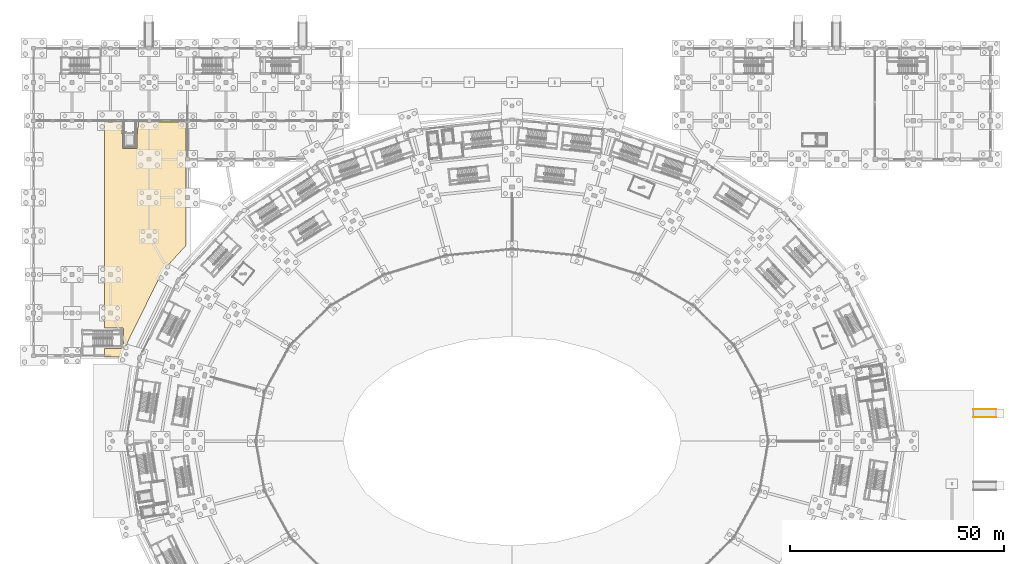
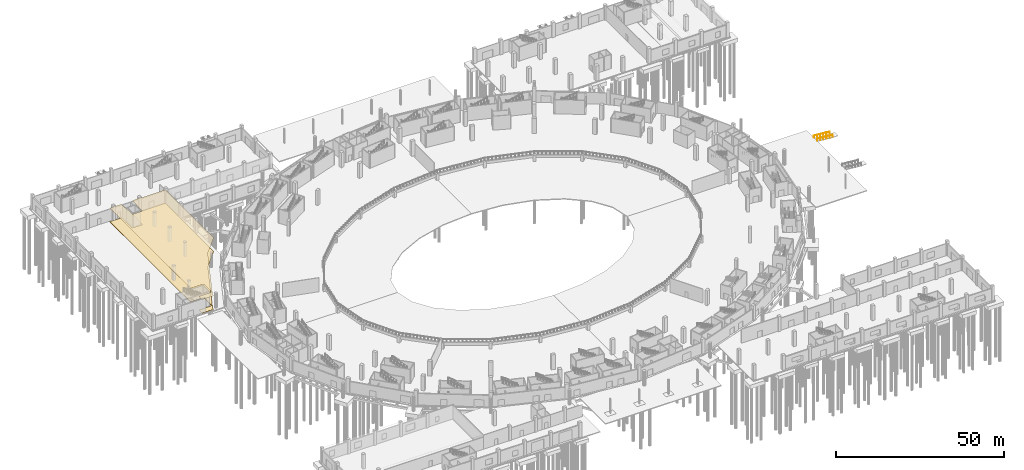
# One storey, part 83 of 103: 2 coverings, 2 railings.
"""IFC4 building model written with IfcOpenShell, lengths in metres."""

import ifcopenshell
import ifcopenshell.guid

model = None  # the IFC model being written
_history = None  # IfcOwnerHistory: only IFC2X3 demands one
_inside = {}  # id of a spatial element -> (the spatial element, [elements in it])
_under = {}  # id of a project, library or spatial element -> (it, [spatial elements below it])
_declared = {}  # id of a project -> (the project, [libraries it declares])
_typed = {}  # id of a type object -> (the type object, [elements of that type])
_made_of = {}  # id of a material, layer set ... -> (it, [elements and type objects made of it])


def new_model(schema):
    """Start an empty IFC model of exactly this schema.

    Asked for "IFC4X3", IfcOpenShell would pick the latest addendum, in which some entities
    have other attributes; the version numbers below select the first issue.
    IFC2X3 requires an IfcOwnerHistory on every rooted entity: one is made here for all.
    """
    global model, _history
    if schema == "IFC4X3":
        model = ifcopenshell.file(schema_version=(4, 3, 0, 0))
    else:
        model = ifcopenshell.file(schema=schema)
    _inside.clear()
    _under.clear()
    _declared.clear()
    _typed.clear()
    _made_of.clear()
    _history = None
    if model.schema == "IFC2X3":
        org = make("IfcOrganization", Name="unknown")
        user = make(
            "IfcPersonAndOrganization",
            ThePerson=make("IfcPerson", FamilyName="unknown"),
            TheOrganization=org,
        )
        app = make(
            "IfcApplication",
            ApplicationDeveloper=org,
            Version="unknown",
            ApplicationFullName="unknown",
            ApplicationIdentifier="unknown",
        )
        _history = make(
            "IfcOwnerHistory",
            OwningUser=user,
            OwningApplication=app,
            ChangeAction="ADDED",
            CreationDate=0,
        )
    return model


def make(cls, **values):
    """One entity of the class cls with the attributes given. An attribute that is None is left unset."""
    return model.create_entity(
        cls, **{name: value for name, value in values.items() if value is not None}
    )


def rooted(cls, **values):
    """An entity with a GlobalId (a new one), such as an element, a storey or a relation."""
    return make(cls, GlobalId=ifcopenshell.guid.new(), OwnerHistory=_history, **values)


def si_unit(unit_type, name, prefix=None):
    """IfcSIUnit, for example si_unit("LENGTHUNIT", "METRE", prefix="MILLI")."""
    return make("IfcSIUnit", UnitType=unit_type, Prefix=prefix, Name=name)


def assignment(units):
    """IfcUnitAssignment: the units of a project."""
    return None if units is None else make("IfcUnitAssignment", Units=units)


def point(xyz):
    """IfcCartesianPoint."""
    return None if xyz is None else make("IfcCartesianPoint", Coordinates=xyz)


def direction(xyz):
    """IfcDirection."""
    return None if xyz is None else make("IfcDirection", DirectionRatios=xyz)


def frame(location, z_axis=None, x_axis=None):
    """IfcAxis2Placement3D, a coordinate frame: its origin and axes. An axis left out is left unset."""
    return make(
        "IfcAxis2Placement3D",
        Location=point(location),
        Axis=direction(z_axis),
        RefDirection=direction(x_axis),
    )


def frame_2d(location, x_axis=None):
    """IfcAxis2Placement2D, a coordinate frame in the plane: its origin and x axis."""
    return make(
        "IfcAxis2Placement2D", Location=point(location), RefDirection=direction(x_axis)
    )


def origin():
    """The frame at (0, 0, 0) with its axes left unset."""
    return frame((0.0, 0.0, 0.0))


def origin_2d():
    """The frame at (0, 0) in the plane with its x axis left unset."""
    return frame_2d((0.0, 0.0))


def place(relative_to, where):
    """IfcLocalPlacement: puts the frame where relative to a parent placement (None: the world)."""
    return make(
        "IfcLocalPlacement", PlacementRelTo=relative_to, RelativePlacement=where
    )


def context(
    kind, dimensions, precision=None, world=None, true_north=None, identifier=None
):
    """IfcGeometricRepresentationContext, for example the 3D "Model" context."""
    return make(
        "IfcGeometricRepresentationContext",
        ContextIdentifier=identifier,
        ContextType=kind,
        CoordinateSpaceDimension=dimensions,
        Precision=precision,
        WorldCoordinateSystem=world,
        TrueNorth=true_north,
    )


def subcontext(parent, identifier, kind, view, scale=None):
    """IfcGeometricRepresentationSubContext, for example "Body" below "Model"."""
    return make(
        "IfcGeometricRepresentationSubContext",
        ContextIdentifier=identifier,
        ContextType=kind,
        ParentContext=parent,
        TargetScale=scale,
        TargetView=view,
    )


def project(units=None, contexts=None):
    """IfcProject with its units and contexts."""
    return rooted(
        "IfcProject",
        Name="project",
        RepresentationContexts=contexts,
        UnitsInContext=assignment(units),
    )


def spatial(cls, under=None, at=None, **own):
    """A site, building, storey or space (cls), placed at a placement, below another one or the project."""
    s = rooted(cls, ObjectPlacement=at, **own)
    if under is not None:
        _under.setdefault(under.id(), (under, []))[1].append(s)
    return s


def polyline(points):
    """IfcPolyline through the points."""
    return make("IfcPolyline", Points=[point(p) for p in points])


def profile(cls, at=None, kind="AREA", **sizes):
    """A parametric profile (cls). Its sizes go by their IFC names, for example OverallWidth=200.0."""
    return make(cls, ProfileType=kind, Position=at, **sizes)


def circle(**sizes):
    """IfcCircleProfileDef."""
    return profile("IfcCircleProfileDef", **sizes)


def outline(outer, holes=None, kind="AREA"):
    """IfcArbitraryClosedProfileDef: a profile drawn as a closed curve; with holes, ...WithVoids."""
    if holes is None:
        return make("IfcArbitraryClosedProfileDef", ProfileType=kind, OuterCurve=outer)
    return make(
        "IfcArbitraryProfileDefWithVoids",
        ProfileType=kind,
        OuterCurve=outer,
        InnerCurves=holes,
    )


def extrude(swept, where, along, depth):
    """IfcExtrudedAreaSolid: the profile swept, set in the frame where, extruded along a direction by depth."""
    return make(
        "IfcExtrudedAreaSolid",
        SweptArea=swept,
        Position=where,
        ExtrudedDirection=direction(along),
        Depth=depth,
    )


def shape(context_of_items, identifier, shape_type, items):
    """IfcShapeRepresentation: the items that make up one representation, for example the "Body"."""
    return make(
        "IfcShapeRepresentation",
        ContextOfItems=context_of_items,
        RepresentationIdentifier=identifier,
        RepresentationType=shape_type,
        Items=items,
    )


def material(Name=None, Category=None):
    """IfcMaterial."""
    return make("IfcMaterial", Name=Name, Category=Category)


def layer(
    of_material, thickness, ventilated=None, Name=None, Category=None, Priority=None
):
    """IfcMaterialLayer: one layer of a wall or slab, of a material (None: an air gap)."""
    return make(
        "IfcMaterialLayer",
        Material=of_material,
        LayerThickness=thickness,
        IsVentilated=ventilated,
        Name=Name,
        Category=Category,
        Priority=Priority,
    )


def layer_set(layers, Name=None):
    """IfcMaterialLayerSet."""
    return make("IfcMaterialLayerSet", MaterialLayers=layers, LayerSetName=Name)


def made_of(thing, what):
    """Note that an element or type object is made of a material, layer set ...; save() writes the relation."""
    if what is not None:
        _made_of.setdefault(what.id(), (what, []))[1].append(thing)
    return thing


def type_object(cls, material=None, **own):
    """A type object (cls), such as IfcWallType, which elements share."""
    return made_of(rooted(cls, **own), material)


def element(
    cls,
    number,
    at=None,
    inside=None,
    cuts=None,
    type_object=None,
    material=None,
    context=None,
    identifier="Body",
    shape_type=None,
    held_by="IfcProductDefinitionShape",
    body=None,
    shapes=None,
    **own,
):
    """One element of the class cls, such as IfcWall. Its Tag is "e" and its number.

    at: its placement. inside: the storey or other place that contains it. cuts: it is an
    opening in that element (IfcRelVoidsElement). A single representation is given by context,
    identifier, shape_type and body (its items); several are given by shapes. held_by: the class
    of the entity that holds the representations. save() writes the other relations.
    """
    e = rooted(cls, Tag="e%d" % number, ObjectPlacement=at, **own)
    if body is not None:
        shapes = [shape(context, identifier, shape_type, body)]
    if shapes is not None:
        e.Representation = make(held_by, Representations=shapes)
    if inside is not None:
        _inside.setdefault(inside.id(), (inside, []))[1].append(e)
    if cuts is not None:
        rooted(
            "IfcRelVoidsElement", RelatingBuildingElement=cuts, RelatedOpeningElement=e
        )
    if type_object is not None:
        _typed.setdefault(type_object.id(), (type_object, []))[1].append(e)
    return made_of(e, material)


def aggregate(whole, parts):
    """IfcRelAggregates: a whole, such as a stair, and the parts it consists of."""
    return rooted("IfcRelAggregates", RelatingObject=whole, RelatedObjects=parts)


def save(model, path):
    """Write the relations noted so far, then the file.

    IfcRelAggregates (storeys below a building ...), IfcRelContainedInSpatialStructure (elements
    in a storey), IfcRelDefinesByType, IfcRelAssociatesMaterial and IfcRelDeclares: one each for
    every whole, place, type object, material and project.
    """
    for whole, parts in _under.values():
        aggregate(whole, parts)
    for where, things in _inside.values():
        rooted(
            "IfcRelContainedInSpatialStructure",
            RelatedElements=things,
            RelatingStructure=where,
        )
    for kind, things in _typed.values():
        rooted("IfcRelDefinesByType", RelatedObjects=things, RelatingType=kind)
    for what, things in _made_of.values():
        rooted("IfcRelAssociatesMaterial", RelatedObjects=things, RelatingMaterial=what)
    for by, libraries in _declared.values():
        rooted("IfcRelDeclares", RelatingContext=by, RelatedDefinitions=libraries)
    model.write(path)


model = new_model("IFC4")

# Units and contexts
model_context = context("Model", 3, precision=1e-05, world=origin(), true_north=direction((0.0, 1.0)))
body_context = subcontext(model_context, "Body", "Model", "MODEL_VIEW")
ifc_project = project(units=[si_unit("LENGTHUNIT", "METRE"), si_unit("AREAUNIT", "SQUARE_METRE"), si_unit("VOLUMEUNIT", "CUBIC_METRE"), si_unit("PLANEANGLEUNIT", "RADIAN"), si_unit("MASSUNIT", "GRAM", prefix="KILO")], contexts=[model_context])

# Site, building, storey
site_placement = place(None, origin())
site = spatial("IfcSite", under=ifc_project, at=site_placement, CompositionType="ELEMENT")
building_placement = place(site_placement, origin())
building = spatial("IfcBuilding", under=site, at=building_placement, Name="Zevraka Park Crest Stadium", CompositionType="ELEMENT")
storey_placement = place(building_placement, origin())
storey = spatial("IfcBuildingStorey", under=building, at=storey_placement, Name="L00", CompositionType="ELEMENT", Elevation=0.0)

# Coverings
ifc_material_1 = material(Name="Perforated acoustic mineral-fibre suspended ceiling", Category="other")
ifc_layer_1 = layer(ifc_material_1, 0.02490234375)
ifc_layer_set_1 = layer_set([ifc_layer_1], Name="Perforated acoustic mineral-fibre suspended ceiling")
covering_type_1 = type_object("IfcCoveringType", Name="CLG01", PredefinedType="CEILING", material=ifc_layer_set_1)
covering_1_placement = place(storey_placement, frame((0.0, 0.0, 4.9599609375)))
element("IfcCovering", 1, at=covering_1_placement, inside=storey, type_object=covering_type_1, Name="Acoustic Ceiling Community Sports Reception Lounge L00-074", PredefinedType="CEILING", context=body_context, shape_type="SweptSolid", body=[
    extrude(outline(polyline([(16.544921875, 118.47998046875), (16.547119140625, 166.6669921875), (20.6220703125, 166.69091796875), (20.64990234375, 164.087890625), (20.65087890625, 164.069091796875), (20.654052734375, 164.050048828125), (20.658935546875, 164.031982421875), (20.6650390625, 164.013916015625), (20.673095703125, 163.9970703125), (20.681884765625, 163.98095703125), (20.693115234375, 163.966064453125), (20.7060546875, 163.950927734375), (20.719970703125, 163.93798828125), (20.73388671875, 163.927001953125), (20.75, 163.9169921875), (20.77001953125, 163.905029296875), (20.77001953125, 160.669921875), (20.77099609375, 160.64990234375), (20.77392578125, 160.631103515625), (20.779052734375, 160.612060546875), (20.784912109375, 160.593017578125), (20.7939453125, 160.575927734375), (20.803955078125, 160.55908203125), (20.81494140625, 160.54296875), (20.8291015625, 160.529052734375), (20.843017578125, 160.514892578125), (20.85888671875, 160.50390625), (20.8759765625, 160.493896484375), (20.89306640625, 160.485107421875), (20.912109375, 160.47900390625), (20.930908203125, 160.47412109375), (20.949951171875, 160.470947265625), (20.969970703125, 160.469970703125), (24.029052734375, 160.469970703125), (24.049072265625, 160.470947265625), (24.068115234375, 160.47412109375), (24.0869140625, 160.47900390625), (24.10595703125, 160.485107421875), (24.123046875, 160.493896484375), (24.139892578125, 160.50390625), (24.156005859375, 160.514892578125), (24.169921875, 160.529052734375), (24.18408203125, 160.54296875), (24.195068359375, 160.55908203125), (24.205078125, 160.575927734375), (24.214111328125, 160.593017578125), (24.219970703125, 160.612060546875), (24.22509765625, 160.631103515625), (24.22802734375, 160.64990234375), (24.22900390625, 160.669921875), (24.22998046875, 163.905029296875), (24.25, 163.9169921875), (24.26611328125, 163.927001953125), (24.280029296875, 163.93798828125), (24.2939453125, 163.950927734375), (24.305908203125, 163.965087890625), (24.31689453125, 163.98095703125), (24.326904296875, 163.9970703125), (24.3349609375, 164.013916015625), (24.341064453125, 164.031005859375), (24.345947265625, 164.050048828125), (24.34912109375, 164.068115234375), (24.35009765625, 164.0869140625), (24.388916015625, 166.69091796875), (35.6669921875, 166.677001953125), (35.696044921875, 137.839111328125), (30.18603515625, 131.783935546875), (30.174072265625, 131.76904296875), (30.1640625, 131.75390625), (30.155029296875, 131.737060546875), (20.7548828125, 112.66796875), (20.7470703125, 112.652099609375), (20.741943359375, 112.634033203125), (20.737060546875, 112.615966796875), (20.568115234375, 111.701904296875), (16.56298828125, 111.693115234375), (16.56591796875, 113.674072265625), (20.7490234375, 113.679931640625), (20.76904296875, 113.680908203125), (20.7880859375, 113.68408203125), (20.806884765625, 113.68896484375), (20.824951171875, 113.695068359375), (20.909912109375, 113.72998046875), (20.927978515625, 113.738037109375), (20.945068359375, 113.748046875), (20.9599609375, 113.760009765625), (20.97509765625, 113.77294921875), (20.988037109375, 113.7880859375), (21.0, 113.802978515625), (21.010009765625, 113.820068359375), (21.01806640625, 113.837890625), (21.053955078125, 113.924072265625), (21.06103515625, 113.94189453125), (21.06591796875, 113.9619140625), (21.069091796875, 113.98095703125), (21.070068359375, 114.0009765625), (21.070068359375, 118.158935546875), (21.069091796875, 118.177978515625), (21.06591796875, 118.197998046875), (21.06103515625, 118.217041015625), (21.054931640625, 118.235107421875), (21.02001953125, 118.320068359375), (21.011962890625, 118.337890625), (21.001953125, 118.35498046875), (20.989990234375, 118.3701171875), (20.97705078125, 118.385009765625), (20.9619140625, 118.39794921875), (20.947021484375, 118.409912109375), (20.929931640625, 118.419921875), (20.912109375, 118.427978515625), (20.825927734375, 118.464111328125), (20.80810546875, 118.470947265625), (20.7880859375, 118.47607421875), (20.76904296875, 118.47900390625), (20.7490234375, 118.47998046875), (16.544921875, 118.47998046875)])), origin(), (0.0, 0.0, 1.0), 0.025146484375),
])
ifc_material_2 = material(Name="Honed terrazzo and slip-resistant sports flooring", Category="other")
ifc_layer_2 = layer(ifc_material_2, 0.0400390625)
ifc_layer_set_2 = layer_set([ifc_layer_2], Name="Honed terrazzo and slip-resistant sports flooring")
covering_type_2 = type_object("IfcCoveringType", Name="FLR01", PredefinedType="FLOORING", material=ifc_layer_set_2)
covering_2_placement = place(storey_placement, origin())
element("IfcCovering", 2, at=covering_2_placement, inside=storey, type_object=covering_type_2, Name="Terrazzo Floor Finish Community Sports Reception Lounge L00-074", PredefinedType="FLOORING", context=body_context, shape_type="SweptSolid", body=[
    extrude(outline(polyline([(16.544921875, 118.47998046875), (16.547119140625, 166.6669921875), (20.6220703125, 166.69091796875), (20.64990234375, 164.087890625), (20.65087890625, 164.069091796875), (20.654052734375, 164.050048828125), (20.658935546875, 164.031982421875), (20.6650390625, 164.013916015625), (20.673095703125, 163.9970703125), (20.681884765625, 163.98095703125), (20.693115234375, 163.966064453125), (20.7060546875, 163.950927734375), (20.719970703125, 163.93798828125), (20.73388671875, 163.927001953125), (20.75, 163.9169921875), (20.77001953125, 163.905029296875), (20.77001953125, 160.669921875), (20.77099609375, 160.64990234375), (20.77392578125, 160.631103515625), (20.779052734375, 160.612060546875), (20.784912109375, 160.593017578125), (20.7939453125, 160.575927734375), (20.803955078125, 160.55908203125), (20.81494140625, 160.54296875), (20.8291015625, 160.529052734375), (20.843017578125, 160.514892578125), (20.85888671875, 160.50390625), (20.8759765625, 160.493896484375), (20.89306640625, 160.485107421875), (20.912109375, 160.47900390625), (20.930908203125, 160.47412109375), (20.949951171875, 160.470947265625), (20.969970703125, 160.469970703125), (24.029052734375, 160.469970703125), (24.049072265625, 160.470947265625), (24.068115234375, 160.47412109375), (24.0869140625, 160.47900390625), (24.10595703125, 160.485107421875), (24.123046875, 160.493896484375), (24.139892578125, 160.50390625), (24.156005859375, 160.514892578125), (24.169921875, 160.529052734375), (24.18408203125, 160.54296875), (24.195068359375, 160.55908203125), (24.205078125, 160.575927734375), (24.214111328125, 160.593017578125), (24.219970703125, 160.612060546875), (24.22509765625, 160.631103515625), (24.22802734375, 160.64990234375), (24.22900390625, 160.669921875), (24.22998046875, 163.905029296875), (24.25, 163.9169921875), (24.26611328125, 163.927001953125), (24.280029296875, 163.93798828125), (24.2939453125, 163.950927734375), (24.305908203125, 163.965087890625), (24.31689453125, 163.98095703125), (24.326904296875, 163.9970703125), (24.3349609375, 164.013916015625), (24.341064453125, 164.031005859375), (24.345947265625, 164.050048828125), (24.34912109375, 164.068115234375), (24.35009765625, 164.0869140625), (24.388916015625, 166.69091796875), (35.6669921875, 166.677001953125), (35.696044921875, 137.839111328125), (30.18603515625, 131.783935546875), (30.174072265625, 131.76904296875), (30.1640625, 131.75390625), (30.155029296875, 131.737060546875), (20.7548828125, 112.66796875), (20.7470703125, 112.652099609375), (20.741943359375, 112.634033203125), (20.737060546875, 112.615966796875), (20.568115234375, 111.701904296875), (16.56298828125, 111.693115234375), (16.56591796875, 113.674072265625), (20.7490234375, 113.679931640625), (20.76904296875, 113.680908203125), (20.7880859375, 113.68408203125), (20.806884765625, 113.68896484375), (20.824951171875, 113.695068359375), (20.909912109375, 113.72998046875), (20.927978515625, 113.738037109375), (20.945068359375, 113.748046875), (20.9599609375, 113.760009765625), (20.97509765625, 113.77294921875), (20.988037109375, 113.7880859375), (21.0, 113.802978515625), (21.010009765625, 113.820068359375), (21.01806640625, 113.837890625), (21.053955078125, 113.924072265625), (21.06103515625, 113.94189453125), (21.06591796875, 113.9619140625), (21.069091796875, 113.98095703125), (21.070068359375, 114.0009765625), (21.070068359375, 118.158935546875), (21.069091796875, 118.177978515625), (21.06591796875, 118.197998046875), (21.06103515625, 118.217041015625), (21.054931640625, 118.235107421875), (21.02001953125, 118.320068359375), (21.011962890625, 118.337890625), (21.001953125, 118.35498046875), (20.989990234375, 118.3701171875), (20.97705078125, 118.385009765625), (20.9619140625, 118.39794921875), (20.947021484375, 118.409912109375), (20.929931640625, 118.419921875), (20.912109375, 118.427978515625), (20.825927734375, 118.464111328125), (20.80810546875, 118.470947265625), (20.7880859375, 118.47607421875), (20.76904296875, 118.47900390625), (20.7490234375, 118.47998046875), (16.544921875, 118.47998046875)])), origin(), (0.0, 0.0, 1.0), 0.0400390625),
])

# Railings
ifc_material_3 = material(Name="Brushed stainless steel continuous handrail", Category="steel")
railing_type = type_object("IfcRailingType", Name="HR01", PredefinedType="HANDRAIL", material=ifc_material_3)
for number, where, name in (
    (3, (225.39990234375, 99.43994140625, -0.449951171875), "Accessible Ramp Handrail RM02-1"),
    (4, (225.39990234375, 97.56005859375, -0.449951171875), "Accessible Ramp Handrail RM02-2"),
):
    element("IfcRailing", number, at=place(storey_placement, frame(where)), inside=storey, type_object=railing_type, Name=name, PredefinedType="HANDRAIL", context=body_context, shape_type="SweptSolid", body=[
        extrude(circle(Radius=0.02392578125, at=origin_2d()), frame((0.0, 0.0, 0.8759765625), z_axis=(-0.996546379678, 0.0, 0.083038022323), x_axis=(0.0, -1.0, 0.0)), (0.0, 0.0, 1.0), 5.418701171875),
        extrude(circle(Radius=0.02099609375, at=origin_2d()), origin(), (0.0, 0.0, 1.0), 0.851806640625),
        extrude(circle(Radius=0.02099609375, at=origin_2d()), frame((-1.080078125, 0.0, 0.090087890625)), (0.0, 0.0, 1.0), 0.851806640625),
        extrude(circle(Radius=0.02099609375, at=origin_2d()), frame((-2.159912109375, 0.0, 0.179931640625)), (0.0, 0.0, 1.0), 0.851806640625),
        extrude(circle(Radius=0.02099609375, at=origin_2d()), frame((-3.239990234375, 0.0, 0.27001953125)), (0.0, 0.0, 1.0), 0.851806640625),
        extrude(circle(Radius=0.02099609375, at=origin_2d()), frame((-4.31982421875, 0.0, 0.35986328125)), (0.0, 0.0, 1.0), 0.851806640625),
        extrude(circle(Radius=0.02099609375, at=origin_2d()), frame((-5.39990234375, 0.0, 0.449951171875)), (0.0, 0.0, 1.0), 0.851806640625),
    ])

save(model, "model.ifc")
